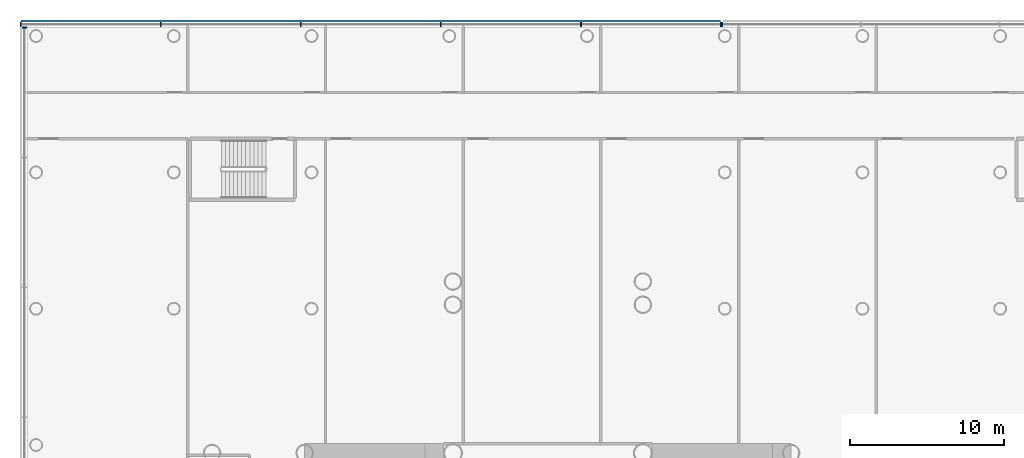
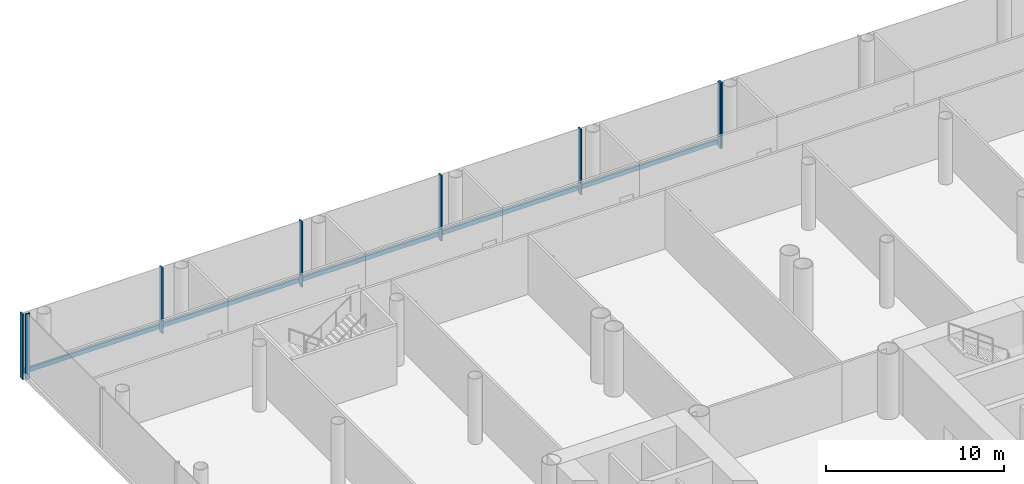
# One storey, part 10 of 51: 9 members, 3 elements without a shape of their own.
"""IFC4 building model written with IfcOpenShell, lengths in metres."""

from ifc_helpers import new_model, si_unit, direction, frame, origin, origin_2d, place, context, subcontext, project, spatial, rectangle, extrude, material, layer, layer_set, material_profile, profile_set, type_object, element, aggregate, save


model = new_model("IFC4")

# Units and contexts
model_context = context("Model", 3, precision=1e-05, world=origin(), true_north=direction((0.0, 1.0)))
body_context = subcontext(model_context, "Body", "Model", "MODEL_VIEW")
ifc_project = project(units=[si_unit("LENGTHUNIT", "METRE"), si_unit("AREAUNIT", "SQUARE_METRE"), si_unit("VOLUMEUNIT", "CUBIC_METRE"), si_unit("PLANEANGLEUNIT", "RADIAN"), si_unit("MASSUNIT", "GRAM", prefix="KILO")], contexts=[model_context])

# Site, building, storey
site_placement = place(None, origin())
site = spatial("IfcSite", under=ifc_project, at=site_placement, CompositionType="ELEMENT")
building_placement = place(site_placement, origin())
building = spatial("IfcBuilding", under=site, at=building_placement, Name="Ipe Terrace Towers", CompositionType="ELEMENT")
storey_placement = place(building_placement, frame((0.0, 0.0, 15.5)))
storey = spatial("IfcBuildingStorey", under=building, at=storey_placement, Name="L03", CompositionType="ELEMENT", Elevation=15.5)

# Curtain wall, member
ifc_material_1 = material(Name="Aluminium alloy 6063-T6", Category="aluminium")
ifc_layer = layer(ifc_material_1, 0.43994140625)
ifc_layer_set = layer_set([ifc_layer], Name="PODIUM GLAZING CURTAIN WALL")
curtain_wall_type = type_object("IfcCurtainWallType", Name="PODIUM GLAZING CURTAIN WALL", PredefinedType="NOTDEFINED", material=ifc_layer_set)
curtain_wall_1_placement = place(storey_placement, origin())
curtain_wall_1 = element("IfcCurtainWall", 1, at=curtain_wall_1_placement, inside=storey, type_object=curtain_wall_type, Name="POD-CW-L03-01b curtain wall", PredefinedType="NOTDEFINED")
ifc_material_2 = material(Name="Aluminium alloy 6063-T6", Category="aluminium")
ifc_material_profile_1 = material_profile(ifc_material_2, rectangle(XDim=0.300048828125, YDim=0.080078125, at=origin_2d()), Name="PODIUM GLAZING MULLION 300 x 80")
ifc_profile_set_1 = profile_set([ifc_material_profile_1], Name="Aluminium alloy 6063-T6")
member_type_1 = type_object("IfcMemberType", Name="PODIUM GLAZING MULLION 300 x 80", PredefinedType="MULLION", material=ifc_profile_set_1)
member_1_placement = place(storey_placement, frame((-24.7099609375, 33.89990234375, -0.300048828125), z_axis=(0.0, 0.0, 1.0), x_axis=(0.0, 1.0, 0.0)))
member_1 = element("IfcMember", 2, at=member_1_placement, type_object=member_type_1, Name="POD-CW-L03-01b mullion 6", PredefinedType="MULLION", context=body_context, shape_type="SweptSolid", body=[
    extrude(rectangle(XDim=0.300048828125, YDim=0.080078125, at=origin_2d()), origin(), (0.0, 0.0, 1.0), 4.5),
])
aggregate(curtain_wall_1, [member_1])

# Curtain wall, members
curtain_wall_2_placement = place(storey_placement, origin())
curtain_wall_2 = element("IfcCurtainWall", 3, at=curtain_wall_2_placement, inside=storey, type_object=curtain_wall_type, Name="POD-CW-L03-01c curtain wall", PredefinedType="NOTDEFINED")
member_2_placement = place(storey_placement, frame((-24.7900390625, 33.89990234375, -0.300048828125), z_axis=(0.0, 0.0, 1.0), x_axis=(0.0, 1.0, 0.0)))
member_2 = element("IfcMember", 4, at=member_2_placement, type_object=member_type_1, Name="POD-CW-L03-01c mullion 1", PredefinedType="MULLION", context=body_context, shape_type="SweptSolid", body=[
    extrude(rectangle(XDim=0.300048828125, YDim=0.080078125, at=origin_2d()), origin(), (0.0, 0.0, 1.0), 4.5),
])
member_3_placement = place(storey_placement, frame((-33.862060546875, 33.89990234375, -0.300048828125), z_axis=(0.0, 0.0, 1.0), x_axis=(0.0, 1.0, 0.0)))
member_3 = element("IfcMember", 5, at=member_3_placement, type_object=member_type_1, Name="POD-CW-L03-01c mullion 2", PredefinedType="MULLION", context=body_context, shape_type="SweptSolid", body=[
    extrude(rectangle(XDim=0.300048828125, YDim=0.080078125, at=origin_2d()), origin(), (0.0, 0.0, 1.0), 4.5),
])
member_4_placement = place(storey_placement, frame((-42.93408203125, 33.89990234375, -0.300048828125), z_axis=(0.0, 0.0, 1.0), x_axis=(0.0, 1.0, 0.0)))
member_4 = element("IfcMember", 6, at=member_4_placement, type_object=member_type_1, Name="POD-CW-L03-01c mullion 3", PredefinedType="MULLION", context=body_context, shape_type="SweptSolid", body=[
    extrude(rectangle(XDim=0.300048828125, YDim=0.080078125, at=origin_2d()), origin(), (0.0, 0.0, 1.0), 4.5),
])
member_5_placement = place(storey_placement, frame((-52.006103515625, 33.89990234375, -0.300048828125), z_axis=(0.0, 0.0, 1.0), x_axis=(0.0, 1.0, 0.0)))
member_5 = element("IfcMember", 7, at=member_5_placement, type_object=member_type_1, Name="POD-CW-L03-01c mullion 4", PredefinedType="MULLION", context=body_context, shape_type="SweptSolid", body=[
    extrude(rectangle(XDim=0.300048828125, YDim=0.080078125, at=origin_2d()), origin(), (0.0, 0.0, 1.0), 4.5),
])
member_6_placement = place(storey_placement, frame((-61.077880859375, 33.89990234375, -0.300048828125), z_axis=(0.0, 0.0, 1.0), x_axis=(0.0, 1.0, 0.0)))
member_6 = element("IfcMember", 8, at=member_6_placement, type_object=member_type_1, Name="POD-CW-L03-01c mullion 5", PredefinedType="MULLION", context=body_context, shape_type="SweptSolid", body=[
    extrude(rectangle(XDim=0.300048828125, YDim=0.080078125, at=origin_2d()), origin(), (0.0, 0.0, 1.0), 4.5),
])
member_7_placement = place(storey_placement, frame((-70.14990234375, 33.89990234375, -0.300048828125), z_axis=(0.0, 0.0, 1.0), x_axis=(0.0, 1.0, 0.0)))
member_7 = element("IfcMember", 9, at=member_7_placement, type_object=member_type_1, Name="POD-CW-L03-01c mullion 6", PredefinedType="MULLION", context=body_context, shape_type="SweptSolid", body=[
    extrude(rectangle(XDim=0.300048828125, YDim=0.080078125, at=origin_2d()), origin(), (0.0, 0.0, 1.0), 4.5),
])

# Curtain wall, member
curtain_wall_3_placement = place(storey_placement, origin())
curtain_wall_3 = element("IfcCurtainWall", 10, at=curtain_wall_3_placement, inside=storey, type_object=curtain_wall_type, Name="POD-CW-L03-02a curtain wall", PredefinedType="NOTDEFINED")
member_8_placement = place(storey_placement, frame((-69.89990234375, 33.7099609375, -0.300048828125), z_axis=(0.0, 0.0, 1.0), x_axis=(-1.0, 0.0, 0.0)))
member_8 = element("IfcMember", 11, at=member_8_placement, type_object=member_type_1, Name="POD-CW-L03-02a mullion 1", PredefinedType="MULLION", context=body_context, shape_type="SweptSolid", body=[
    extrude(rectangle(XDim=0.300048828125, YDim=0.080078125, at=origin_2d()), origin(), (0.0, 0.0, 1.0), 4.5),
])
aggregate(curtain_wall_3, [member_8])

# Member
ifc_material_3 = material(Name="Aluminium alloy 6063-T6", Category="aluminium")
ifc_material_profile_2 = material_profile(ifc_material_3, rectangle(XDim=0.139892578125, YDim=0.300048828125, at=origin_2d()), Name="PODIUM GLAZING TRANSOM 140 x 300")
ifc_profile_set_2 = profile_set([ifc_material_profile_2], Name="Aluminium alloy 6063-T6")
member_type_2 = type_object("IfcMemberType", Name="PODIUM GLAZING TRANSOM 140 x 300", PredefinedType="USERDEFINED", material=ifc_profile_set_2)
member_9_placement = place(storey_placement, frame((-24.830078125, 34.1201171875, 0.0), z_axis=(-1.0, 0.0, 0.0), x_axis=(0.0, 1.0, 0.0)))
member_9 = element("IfcMember", 12, at=member_9_placement, type_object=member_type_2, Name="POD-CW-L03-01c transom", ObjectType="TRANSOM", PredefinedType="USERDEFINED", context=body_context, shape_type="SweptSolid", body=[
    extrude(rectangle(XDim=0.139892578125, YDim=0.300048828125, at=origin_2d()), origin(), (0.0, 0.0, 1.0), 45.280029296875),
])

aggregate(curtain_wall_2, [member_2, member_3, member_4, member_5, member_6, member_7, member_9])

save(model, "model.ifc")
